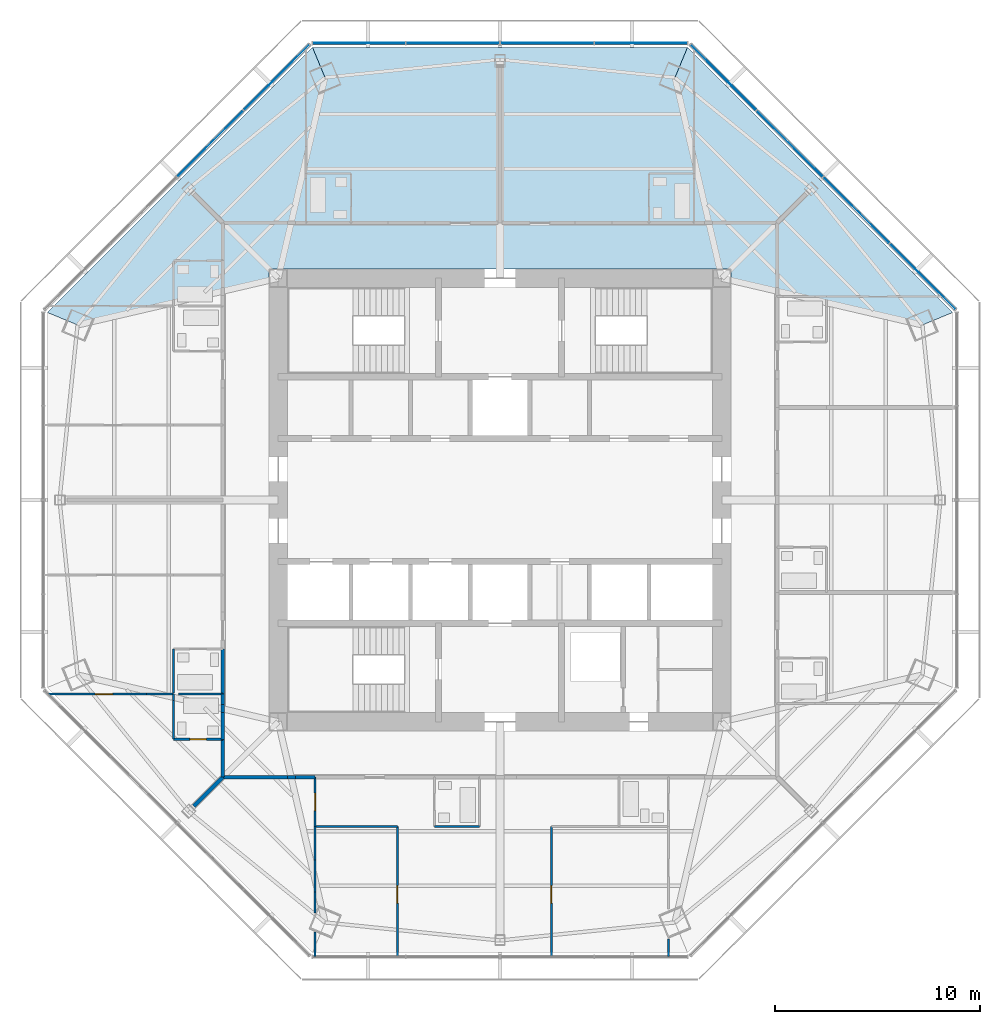
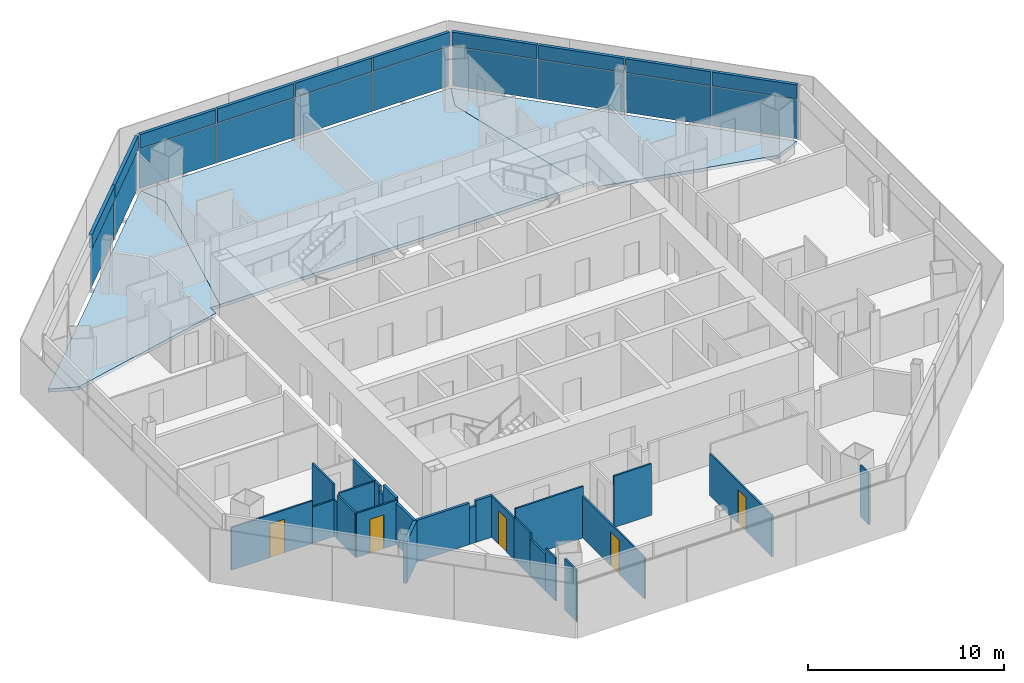
# One storey, part 8 of 15: 26 walls, 20 plates, 5 doors, 3 slabs, 5 openings, 3 elements without a shape of their own.
"""IFC4 building model written with IfcOpenShell, lengths in metres."""

from ifc_helpers import new_model, si_unit, direction, frame, frame_2d, origin, origin_2d, place, context, subcontext, project, spatial, polyline, rectangle, outline, extrude, source, transform, mapped, material, layer, layer_set, type_object, type_shapes, element, fill, aggregate, save


model = new_model("IFC4")

# Units and contexts
model_context = context("Model", 3, precision=1e-05, world=origin(), true_north=direction((0.0, 1.0)))
body_context = subcontext(model_context, "Body", "Model", "MODEL_VIEW")
ifc_project = project(units=[si_unit("LENGTHUNIT", "METRE"), si_unit("AREAUNIT", "SQUARE_METRE"), si_unit("VOLUMEUNIT", "CUBIC_METRE"), si_unit("PLANEANGLEUNIT", "RADIAN"), si_unit("MASSUNIT", "GRAM", prefix="KILO")], contexts=[model_context])

# Site, building, storey
site_placement = place(None, origin())
site = spatial("IfcSite", under=ifc_project, at=site_placement, CompositionType="ELEMENT")
building_placement = place(site_placement, origin())
building = spatial("IfcBuilding", under=site, at=building_placement, Name="Mashrafa Tower", CompositionType="ELEMENT")
storey_placement = place(building_placement, frame((0.0, 0.0, 204.0)))
storey = spatial("IfcBuildingStorey", under=building, at=storey_placement, Name="L46", CompositionType="ELEMENT", Elevation=204.0)

# Slabs
ifc_material_1 = material(Name="Concrete C35/45", Category="concrete")
ifc_layer_1 = layer(ifc_material_1, 0.199951171875)
ifc_layer_set_1 = layer_set([ifc_layer_1], Name="Floor slab 200")
slab_type = type_object("IfcSlabType", Name="Floor slab 200", PredefinedType="FLOOR", material=ifc_layer_set_1)
slab_1_placement = place(storey_placement, frame((0.0, 0.0, -0.199951171875)))
element("IfcSlab", 1, at=slab_1_placement, inside=storey, type_object=slab_type, Name="Floor slab L46 north-east bay", PredefinedType="FLOOR", context=body_context, shape_type="SweptSolid", body=[
    extrude(outline(polyline([(9.130859375, 22.0439453125), (22.0439453125, 9.130859375), (22.0439453125, 9.130859375), (20.5712890625, 8.52099609375), (11.25, 10.695068359375), (11.25, 11.25), (10.695068359375, 11.25), (8.52099609375, 20.5712890625), (9.130859375, 22.0439453125), (9.130859375, 22.0439453125)])), origin(), (0.0, 0.0, 1.0), 0.199951171875),
])
slab_2_placement = place(storey_placement, frame((0.0, 0.0, -0.199951171875)))
element("IfcSlab", 2, at=slab_2_placement, inside=storey, type_object=slab_type, Name="Floor slab L46 north bay", PredefinedType="FLOOR", context=body_context, shape_type="SweptSolid", body=[
    extrude(outline(polyline([(9.130859375, 22.0439453125), (8.52099609375, 20.5712890625), (10.695068359375, 11.25), (-10.695068359375, 11.25), (-8.52099609375, 20.5712890625), (-9.130859375, 22.0439453125), (9.130859375, 22.0439453125)])), origin(), (0.0, 0.0, 1.0), 0.199951171875),
])
slab_3_placement = place(storey_placement, frame((0.0, 0.0, -0.199951171875)))
element("IfcSlab", 3, at=slab_3_placement, inside=storey, type_object=slab_type, Name="Floor slab L46 north-west bay", PredefinedType="FLOOR", context=body_context, shape_type="SweptSolid", body=[
    extrude(outline(polyline([(-22.0439453125, 9.130859375), (-9.130859375, 22.0439453125), (-9.130859375, 22.0439453125), (-8.52099609375, 20.5712890625), (-10.695068359375, 11.25), (-11.25, 11.25), (-11.25, 10.695068359375), (-20.5712890625, 8.52099609375), (-22.0439453125, 9.130859375), (-22.0439453125, 9.130859375)])), origin(), (0.0, 0.0, 1.0), 0.199951171875),
])

# Curtain wall, plates
ifc_material_2 = material(Name="Unitised aluminium curtain wall", Category="aluminium")
curtain_wall_type = type_object("IfcCurtainWallType", Name="Apartment curtain wall, zone 3 CW-C 180 deep", PredefinedType="NOTDEFINED", material=ifc_material_2)
curtain_wall_1_placement = place(storey_placement, origin())
curtain_wall_1 = element("IfcCurtainWall", 4, at=curtain_wall_1_placement, inside=storey, type_object=curtain_wall_type, Name="Apartment curtain wall, zone 3 L46 north-east", PredefinedType="NOTDEFINED")
ifc_material_3 = material(Name="Insulated double glazing, acoustic", Category="glass")
ifc_layer_2 = layer(ifc_material_3, 0.028076171875)
ifc_layer_set_2 = layer_set([ifc_layer_2], Name="Vision panel CW-C 28")
plate_type_1 = type_object("IfcPlateType", Name="Vision panel CW-C 28", PredefinedType="CURTAIN_PANEL", material=ifc_layer_set_2)
shared_shape_1 = source(origin(), body_context, "Body", "SweptSolid", [
    extrude(rectangle(XDim=4.4931640625, YDim=0.028076171875, at=origin_2d()), origin(), (0.0, 0.0, 1.0), 2.46240234375),
])
plate_1_placement = place(storey_placement, frame((20.579345703125, 10.878173828125, 0.0), z_axis=(0.0, 0.0, 1.0), x_axis=(-0.707106781187, 0.707106781187, 0.0)))
plate_1 = element("IfcPlate", 5, at=plate_1_placement, type_object=plate_type_1, Name="CW-C vision panel 1", PredefinedType="CURTAIN_PANEL", context=body_context, shape_type="MappedRepresentation", body=[
    mapped(shared_shape_1, transform((0.0, 0.0, 0.0))),
])
plate_2_placement = place(storey_placement, frame((10.878173828125, 20.579345703125, 0.0), z_axis=(0.0, 0.0, 1.0), x_axis=(-0.707106781187, 0.707106781187, 0.0)))
plate_2 = element("IfcPlate", 6, at=plate_2_placement, type_object=plate_type_1, Name="CW-C vision panel 4", PredefinedType="CURTAIN_PANEL", context=body_context, shape_type="MappedRepresentation", body=[
    mapped(shared_shape_1, transform((0.0, 0.0, 0.0))),
])

curtain_wall_2_placement = place(storey_placement, origin())
curtain_wall_2 = element("IfcCurtainWall", 7, at=curtain_wall_2_placement, inside=storey, type_object=curtain_wall_type, Name="Apartment curtain wall, zone 3 L46 north", PredefinedType="NOTDEFINED")
plate_3_placement = place(storey_placement, frame((6.85986328125, 22.243896484375, 0.0), z_axis=(0.0, 0.0, 1.0), x_axis=(-1.0, 0.0, 0.0)))
plate_3 = element("IfcPlate", 8, at=plate_3_placement, type_object=plate_type_1, Name="CW-C vision panel 1", PredefinedType="CURTAIN_PANEL", context=body_context, shape_type="MappedRepresentation", body=[
    mapped(shared_shape_1, transform((0.0, 0.0, 0.0))),
])
plate_4_placement = place(storey_placement, frame((-6.85986328125, 22.243896484375, 0.0), z_axis=(0.0, 0.0, 1.0), x_axis=(-1.0, 0.0, 0.0)))
plate_4 = element("IfcPlate", 9, at=plate_4_placement, type_object=plate_type_1, Name="CW-C vision panel 4", PredefinedType="CURTAIN_PANEL", context=body_context, shape_type="MappedRepresentation", body=[
    mapped(shared_shape_1, transform((0.0, 0.0, 0.0))),
])

# Curtain wall, plate
curtain_wall_3_placement = place(storey_placement, origin())
curtain_wall_3 = element("IfcCurtainWall", 10, at=curtain_wall_3_placement, inside=storey, type_object=curtain_wall_type, Name="Apartment curtain wall, zone 3 L46 north-west", PredefinedType="NOTDEFINED")
plate_5_placement = place(storey_placement, frame((-10.878173828125, 20.579345703125, 0.0), z_axis=(0.0, 0.0, 1.0), x_axis=(-0.707106781187, -0.707106781187, 0.0)))
plate_5 = element("IfcPlate", 11, at=plate_5_placement, type_object=plate_type_1, Name="CW-C vision panel 1", PredefinedType="CURTAIN_PANEL", context=body_context, shape_type="MappedRepresentation", body=[
    mapped(shared_shape_1, transform((0.0, 0.0, 0.0))),
])

# Plate
ifc_material_4 = material(Name="Insulated bronze aluminium spandrel panel", Category="aluminium")
ifc_layer_3 = layer(ifc_material_4, 0.179931640625)
ifc_layer_set_3 = layer_set([ifc_layer_3], Name="Spandrel panel CW-C 180")
plate_type_2 = type_object("IfcPlateType", Name="Spandrel panel CW-C 180", PredefinedType="CURTAIN_PANEL", material=ifc_layer_set_3)
shared_shape_2 = source(origin(), body_context, "Body", "SweptSolid", [
    extrude(rectangle(XDim=4.4931640625, YDim=0.179931640625, at=origin_2d()), origin(), (0.0, 0.0, 1.0), 0.862548828125),
])
plate_6_placement = place(storey_placement, frame((20.579345703125, 10.878173828125, 2.53759765625), z_axis=(0.0, 0.0, 1.0), x_axis=(-0.707106781187, 0.707106781187, 0.0)))
plate_6 = element("IfcPlate", 12, at=plate_6_placement, type_object=plate_type_2, Name="CW-C spandrel panel 1", PredefinedType="CURTAIN_PANEL", context=body_context, shape_type="MappedRepresentation", body=[
    mapped(shared_shape_2, transform((0.0, 0.0, 0.0))),
])

plate_7_placement = place(storey_placement, frame((10.878173828125, 20.579345703125, 2.53759765625), z_axis=(0.0, 0.0, 1.0), x_axis=(-0.707106781187, 0.707106781187, 0.0)))
plate_7 = element("IfcPlate", 13, at=plate_7_placement, type_object=plate_type_2, Name="CW-C spandrel panel 4", PredefinedType="CURTAIN_PANEL", context=body_context, shape_type="MappedRepresentation", body=[
    mapped(shared_shape_2, transform((0.0, 0.0, 0.0))),
])

plate_8_placement = place(storey_placement, frame((6.85986328125, 22.243896484375, 2.53759765625), z_axis=(0.0, 0.0, 1.0), x_axis=(-1.0, 0.0, 0.0)))
plate_8 = element("IfcPlate", 14, at=plate_8_placement, type_object=plate_type_2, Name="CW-C spandrel panel 1", PredefinedType="CURTAIN_PANEL", context=body_context, shape_type="MappedRepresentation", body=[
    mapped(shared_shape_2, transform((0.0, 0.0, 0.0))),
])

plate_9_placement = place(storey_placement, frame((-6.85986328125, 22.243896484375, 2.53759765625), z_axis=(0.0, 0.0, 1.0), x_axis=(-1.0, 0.0, 0.0)))
plate_9 = element("IfcPlate", 15, at=plate_9_placement, type_object=plate_type_2, Name="CW-C spandrel panel 4", PredefinedType="CURTAIN_PANEL", context=body_context, shape_type="MappedRepresentation", body=[
    mapped(shared_shape_2, transform((0.0, 0.0, 0.0))),
])

plate_10_placement = place(storey_placement, frame((-10.878173828125, 20.579345703125, 2.53759765625), z_axis=(0.0, 0.0, 1.0), x_axis=(-0.707106781187, -0.707106781187, 0.0)))
plate_10 = element("IfcPlate", 16, at=plate_10_placement, type_object=plate_type_2, Name="CW-C spandrel panel 1", PredefinedType="CURTAIN_PANEL", context=body_context, shape_type="MappedRepresentation", body=[
    mapped(shared_shape_2, transform((0.0, 0.0, 0.0))),
])

shared_shape_3 = source(origin(), body_context, "Body", "SweptSolid", [
    extrude(rectangle(XDim=4.523193359375, YDim=0.028076171875, at=origin_2d()), origin(), (0.0, 0.0, 1.0), 2.46240234375),
])
type_shapes(plate_type_1, [shared_shape_1, shared_shape_3])
plate_11_placement = place(storey_placement, frame((17.34912109375, 14.1083984375, 0.0), z_axis=(0.0, 0.0, 1.0), x_axis=(-0.707106781187, 0.707106781187, 0.0)))
plate_11 = element("IfcPlate", 17, at=plate_11_placement, type_object=plate_type_1, Name="CW-C vision panel 2", PredefinedType="CURTAIN_PANEL", context=body_context, shape_type="MappedRepresentation", body=[
    mapped(shared_shape_3, transform((0.0, 0.0, 0.0))),
])

plate_12_placement = place(storey_placement, frame((14.1083984375, 17.34912109375, 0.0), z_axis=(0.0, 0.0, 1.0), x_axis=(-0.707106781187, 0.707106781187, 0.0)))
plate_12 = element("IfcPlate", 18, at=plate_12_placement, type_object=plate_type_1, Name="CW-C vision panel 3", PredefinedType="CURTAIN_PANEL", context=body_context, shape_type="MappedRepresentation", body=[
    mapped(shared_shape_3, transform((0.0, 0.0, 0.0))),
])

plate_13_placement = place(storey_placement, frame((2.29150390625, 22.243896484375, 0.0), z_axis=(0.0, 0.0, 1.0), x_axis=(-1.0, 0.0, 0.0)))
plate_13 = element("IfcPlate", 19, at=plate_13_placement, type_object=plate_type_1, Name="CW-C vision panel 2", PredefinedType="CURTAIN_PANEL", context=body_context, shape_type="MappedRepresentation", body=[
    mapped(shared_shape_3, transform((0.0, 0.0, 0.0))),
])

plate_14_placement = place(storey_placement, frame((-2.29150390625, 22.243896484375, 0.0), z_axis=(0.0, 0.0, 1.0), x_axis=(-1.0, 0.0, 0.0)))
plate_14 = element("IfcPlate", 20, at=plate_14_placement, type_object=plate_type_1, Name="CW-C vision panel 3", PredefinedType="CURTAIN_PANEL", context=body_context, shape_type="MappedRepresentation", body=[
    mapped(shared_shape_3, transform((0.0, 0.0, 0.0))),
])

plate_15_placement = place(storey_placement, frame((-14.1083984375, 17.34912109375, 0.0), z_axis=(0.0, 0.0, 1.0), x_axis=(-0.707106781187, -0.707106781187, 0.0)))
plate_15 = element("IfcPlate", 21, at=plate_15_placement, type_object=plate_type_1, Name="CW-C vision panel 2", PredefinedType="CURTAIN_PANEL", context=body_context, shape_type="MappedRepresentation", body=[
    mapped(shared_shape_3, transform((0.0, 0.0, 0.0))),
])

shared_shape_4 = source(origin(), body_context, "Body", "SweptSolid", [
    extrude(rectangle(XDim=4.523193359375, YDim=0.179931640625, at=origin_2d()), origin(), (0.0, 0.0, 1.0), 0.862548828125),
])
type_shapes(plate_type_2, [shared_shape_2, shared_shape_4])
plate_16_placement = place(storey_placement, frame((17.34912109375, 14.1083984375, 2.53759765625), z_axis=(0.0, 0.0, 1.0), x_axis=(-0.707106781187, 0.707106781187, 0.0)))
plate_16 = element("IfcPlate", 22, at=plate_16_placement, type_object=plate_type_2, Name="CW-C spandrel panel 2", PredefinedType="CURTAIN_PANEL", context=body_context, shape_type="MappedRepresentation", body=[
    mapped(shared_shape_4, transform((0.0, 0.0, 0.0))),
])

plate_17_placement = place(storey_placement, frame((14.1083984375, 17.34912109375, 2.53759765625), z_axis=(0.0, 0.0, 1.0), x_axis=(-0.707106781187, 0.707106781187, 0.0)))
plate_17 = element("IfcPlate", 23, at=plate_17_placement, type_object=plate_type_2, Name="CW-C spandrel panel 3", PredefinedType="CURTAIN_PANEL", context=body_context, shape_type="MappedRepresentation", body=[
    mapped(shared_shape_4, transform((0.0, 0.0, 0.0))),
])

aggregate(curtain_wall_1, [plate_1, plate_6, plate_11, plate_16, plate_12, plate_17, plate_2, plate_7])

plate_18_placement = place(storey_placement, frame((2.29150390625, 22.243896484375, 2.53759765625), z_axis=(0.0, 0.0, 1.0), x_axis=(-1.0, 0.0, 0.0)))
plate_18 = element("IfcPlate", 24, at=plate_18_placement, type_object=plate_type_2, Name="CW-C spandrel panel 2", PredefinedType="CURTAIN_PANEL", context=body_context, shape_type="MappedRepresentation", body=[
    mapped(shared_shape_4, transform((0.0, 0.0, 0.0))),
])

plate_19_placement = place(storey_placement, frame((-2.29150390625, 22.243896484375, 2.53759765625), z_axis=(0.0, 0.0, 1.0), x_axis=(-1.0, 0.0, 0.0)))
plate_19 = element("IfcPlate", 25, at=plate_19_placement, type_object=plate_type_2, Name="CW-C spandrel panel 3", PredefinedType="CURTAIN_PANEL", context=body_context, shape_type="MappedRepresentation", body=[
    mapped(shared_shape_4, transform((0.0, 0.0, 0.0))),
])

aggregate(curtain_wall_2, [plate_3, plate_8, plate_13, plate_18, plate_14, plate_19, plate_4, plate_9])

plate_20_placement = place(storey_placement, frame((-14.1083984375, 17.34912109375, 2.53759765625), z_axis=(0.0, 0.0, 1.0), x_axis=(-0.707106781187, -0.707106781187, 0.0)))
plate_20 = element("IfcPlate", 26, at=plate_20_placement, type_object=plate_type_2, Name="CW-C spandrel panel 2", PredefinedType="CURTAIN_PANEL", context=body_context, shape_type="MappedRepresentation", body=[
    mapped(shared_shape_4, transform((0.0, 0.0, 0.0))),
])

aggregate(curtain_wall_3, [plate_5, plate_10, plate_15, plate_20])

# Walls
ifc_material_5 = material(Name="Gypsum board on steel studs", Category="steel")
ifc_layer_4 = layer(ifc_material_5, 0.199951171875)
ifc_layer_set_4 = layer_set([ifc_layer_4], Name="Acoustic partition 200 1 hr")
wall_type_1 = type_object("IfcWallType", Name="Acoustic partition 200 1 hr", PredefinedType="PARTITIONING", material=ifc_layer_set_4)
wall_1_placement = place(storey_placement, frame((-14.90478515625, -14.90478515625, 0.0), z_axis=(0.0, 0.0, 1.0), x_axis=(0.707106781187, 0.707106781187, 0.0)))
element("IfcWall", 27, at=wall_1_placement, inside=storey, type_object=wall_type_1, Name="Acoustic wall L46-113", PredefinedType="PARTITIONING", context=body_context, shape_type="SweptSolid", body=[
    extrude(rectangle(XDim=1.986572265625, YDim=0.199951171875, at=frame_2d((0.9931640625, 0.0))), origin(), (0.0, 0.0, 1.0), 2.577880859375),
])
ifc_material_6 = material(Name="Gypsum board on steel studs", Category="steel")
ifc_layer_5 = layer(ifc_material_6, 0.14990234375)
ifc_layer_set_5 = layer_set([ifc_layer_5], Name="Corridor partition 150 1 hr")
wall_type_2 = type_object("IfcWallType", Name="Corridor partition 150 1 hr", PredefinedType="PARTITIONING", material=ifc_layer_set_5)
wall_2_placement = place(storey_placement, frame((-13.5, -9.448974609375, 0.0), z_axis=(0.0, 0.0, 1.0), x_axis=(0.0, -1.0, 0.0)))
element("IfcWall", 28, at=wall_2_placement, inside=storey, type_object=wall_type_2, Name="Corridor wall L46-039", PredefinedType="PARTITIONING", context=body_context, shape_type="SweptSolid", body=[
    extrude(rectangle(XDim=0.516357421875, YDim=0.14990234375, at=frame_2d((0.25830078125, 0.0))), origin(), (0.0, 0.0, 1.0), 2.590576171875),
])
wall_3_placement = place(storey_placement, frame((-13.5, -10.34033203125, 0.0), z_axis=(0.0, 0.0, 1.0), x_axis=(0.0, -1.0, 0.0)))
element("IfcWall", 29, at=wall_3_placement, inside=storey, type_object=wall_type_2, Name="Corridor wall L46-040", PredefinedType="PARTITIONING", context=body_context, shape_type="SweptSolid", body=[
    extrude(rectangle(XDim=1.310546875, YDim=0.14990234375, at=frame_2d((0.6552734375, 0.0))), origin(), (0.0, 0.0, 1.0), 2.880126953125),
])
wall_4_placement = place(storey_placement, frame((-13.5, -9.96533203125, 0.0), z_axis=(0.0, 0.0, 1.0), x_axis=(0.0, -1.0, 0.0)))
element("IfcWall", 30, at=wall_4_placement, inside=storey, type_object=wall_type_2, Name="Corridor wall L46-041", PredefinedType="PARTITIONING", context=body_context, shape_type="SweptSolid", body=[
    extrude(rectangle(XDim=0.375, YDim=0.14990234375, at=frame_2d((0.1875, 0.0))), origin(), (0.0, 0.0, 1.0), 2.26806640625),
])
wall_5_placement = place(storey_placement, frame((-13.5, -11.64892578125, 0.0), z_axis=(0.0, 0.0, 1.0), x_axis=(0.0, -1.0, 0.0)))
element("IfcWall", 31, at=wall_5_placement, inside=storey, type_object=wall_type_2, Name="Corridor wall L46-042", PredefinedType="PARTITIONING", context=body_context, shape_type="SweptSolid", body=[
    extrude(rectangle(XDim=1.85107421875, YDim=0.14990234375, at=frame_2d((0.925537109375, 0.0))), origin(), (0.0, 0.0, 1.0), 2.577880859375),
])
wall_6_placement = place(storey_placement, frame((-13.5, -7.2490234375, 0.0), z_axis=(0.0, 0.0, 1.0), x_axis=(0.0, -1.0, 0.0)))
element("IfcWall", 32, at=wall_6_placement, inside=storey, type_object=wall_type_2, Name="Corridor wall L46-043", PredefinedType="PARTITIONING", context=body_context, shape_type="SweptSolid", body=[
    extrude(rectangle(XDim=2.201904296875, YDim=0.14990234375, at=frame_2d((1.10107421875, 0.0))), origin(), (0.0, 0.0, 1.0), 2.590576171875),
])
wall_7_placement = place(storey_placement, frame((-13.5, -13.5, 0.0), z_axis=(0.0, 0.0, 1.0), x_axis=(1.0, 0.0, 0.0)))
element("IfcWall", 33, at=wall_7_placement, inside=storey, type_object=wall_type_2, Name="Corridor wall L46-047", PredefinedType="PARTITIONING", context=body_context, shape_type="SweptSolid", body=[
    extrude(rectangle(XDim=3.15966796875, YDim=0.14990234375, at=frame_2d((1.579833984375, 0.0))), origin(), (0.0, 0.0, 1.0), 2.577880859375),
])
wall_8_placement = place(storey_placement, frame((-9.96533203125, -13.5, 0.0), z_axis=(0.0, 0.0, 1.0), x_axis=(1.0, 0.0, 0.0)))
element("IfcWall", 34, at=wall_8_placement, inside=storey, type_object=wall_type_2, Name="Corridor wall L46-048", PredefinedType="PARTITIONING", context=body_context, shape_type="SweptSolid", body=[
    extrude(rectangle(XDim=0.96630859375, YDim=0.14990234375, at=frame_2d((0.483154296875, 0.0))), origin(), (0.0, 0.0, 1.0), 2.590576171875),
])
wall_9_placement = place(storey_placement, frame((-10.34033203125, -13.5, 0.0), z_axis=(0.0, 0.0, 1.0), x_axis=(1.0, 0.0, 0.0)))
element("IfcWall", 35, at=wall_9_placement, inside=storey, type_object=wall_type_2, Name="Corridor wall L46-049", PredefinedType="PARTITIONING", context=body_context, shape_type="SweptSolid", body=[
    extrude(rectangle(XDim=0.375, YDim=0.14990234375, at=frame_2d((0.1875, 0.0))), origin(), (0.0, 0.0, 1.0), 2.26806640625),
])
ifc_material_7 = material(Name="Gypsum board on steel studs", Category="steel")
ifc_layer_6 = layer(ifc_material_7, 0.10009765625)
ifc_layer_set_6 = layer_set([ifc_layer_6], Name="Partition 100")
wall_type_3 = type_object("IfcWallType", Name="Partition 100", PredefinedType="PARTITIONING", material=ifc_layer_set_6)
wall_10_placement = place(storey_placement, frame((-15.89990234375, -9.76513671875, 0.0), z_axis=(0.0, 0.0, 1.0), x_axis=(0.0, -1.0, 0.0)))
element("IfcWall", 36, at=wall_10_placement, inside=storey, type_object=wall_type_3, Name="Partition wall L46-107", PredefinedType="PARTITIONING", context=body_context, shape_type="SweptSolid", body=[
    extrude(rectangle(XDim=1.884765625, YDim=0.10009765625, at=frame_2d((0.9423828125, 0.0))), origin(), (0.0, 0.0, 1.0), 2.740478515625),
])
wall_11_placement = place(storey_placement, frame((-15.89990234375, -9.449951171875, 0.0), z_axis=(0.0, 0.0, 1.0), x_axis=(0.0, -1.0, 0.0)))
element("IfcWall", 37, at=wall_11_placement, inside=storey, type_object=wall_type_3, Name="Partition wall L46-108", PredefinedType="PARTITIONING", context=body_context, shape_type="SweptSolid", body=[
    extrude(rectangle(XDim=0.315185546875, YDim=0.10009765625, at=frame_2d((0.15771484375, 0.0))), origin(), (0.0, 0.0, 1.0), 2.26806640625),
])

# Wall, opening, door
wall_12_placement = place(storey_placement, frame((-15.89990234375, -11.64990234375, 0.0), z_axis=(0.0, 0.0, 1.0), x_axis=(1.0, 0.0, 0.0)))
wall_12 = element("IfcWall", 38, at=wall_12_placement, inside=storey, type_object=wall_type_3, Name="Partition wall L46-109", PredefinedType="PARTITIONING", context=body_context, shape_type="SweptSolid", body=[
    extrude(rectangle(XDim=2.39990234375, YDim=0.10009765625, at=frame_2d((1.199951171875, 0.0))), origin(), (0.0, 0.0, 1.0), 2.740478515625),
])
opening_1_placement = place(wall_12_placement, frame((0.800048828125, 0.0, 0.0)))
opening_1 = element("IfcOpeningElement", 39, at=opening_1_placement, cuts=wall_12, Name="Opening 46.020", PredefinedType="OPENING", context=body_context, shape_type="SweptSolid", body=[
    extrude(rectangle(XDim=0.800048828125, YDim=2.10009765625, at=frame_2d((0.39990234375, 1.050048828125))), frame((0.0, 0.06005859375, 0.0), z_axis=(0.0, -1.0, 0.0), x_axis=(1.0, 0.0, 0.0)), (0.0, 0.0, 1.0), 0.1201171875),
])
ifc_material_8 = material(Name="Timber door", Category="wood")
door_type_1 = type_object("IfcDoorType", Name="Bathroom door 800 x 2100", OperationType="USERDEFINED", PredefinedType="DOOR", material=ifc_material_8)
door_1_placement = place(opening_1_placement, origin())
door_1 = element("IfcDoor", 40, at=door_1_placement, inside=storey, type_object=door_type_1, Name="Apartment 4607 En-suite Bathroom door", OperationType="SINGLE_SWING_LEFT", OverallHeight=2.10009765625, OverallWidth=0.800048828125, PredefinedType="DOOR", context=body_context, shape_type="SweptSolid", body=[
    extrude(rectangle(XDim=0.800048828125, YDim=2.10009765625, at=frame_2d((0.39990234375, 1.050048828125))), frame((0.0, 0.02490234375, 0.0), z_axis=(0.0, -1.0, 0.0), x_axis=(1.0, 0.0, 0.0)), (0.0, 0.0, 1.0), 0.050048828125),
])
fill(opening_1, door_1)

# Wall
wall_13_placement = place(storey_placement, frame((-13.5, -9.449951171875, 0.0), z_axis=(0.0, 0.0, 1.0), x_axis=(-1.0, 0.0, 0.0)))
element("IfcWall", 41, at=wall_13_placement, inside=storey, type_object=wall_type_3, Name="Partition wall L46-110", PredefinedType="PARTITIONING", context=body_context, shape_type="SweptSolid", body=[
    extrude(rectangle(XDim=2.14990234375, YDim=0.10009765625, at=frame_2d((1.074951171875, 0.0))), origin(), (0.0, 0.0, 1.0), 2.590576171875),
])

# Wall, opening, door
wall_14_placement = place(storey_placement, frame((-17.215087890625, -9.449951171875, 0.0), z_axis=(0.0, 0.0, 1.0), x_axis=(-1.0, 0.0, 0.0)))
wall_14 = element("IfcWall", 42, at=wall_14_placement, inside=storey, type_object=wall_type_3, Name="Partition wall L46-111", PredefinedType="PARTITIONING", context=body_context, shape_type="SweptSolid", body=[
    extrude(rectangle(XDim=4.770751953125, YDim=0.10009765625, at=frame_2d((2.38525390625, 0.0))), origin(), (0.0, 0.0, 1.0), 2.664306640625),
])
opening_2_placement = place(wall_14_placement, frame((1.653076171875, 0.0, 0.0)))
opening_2 = element("IfcOpeningElement", 43, at=opening_2_placement, cuts=wall_14, Name="Opening 46.021", PredefinedType="OPENING", context=body_context, shape_type="SweptSolid", body=[
    extrude(rectangle(XDim=0.85009765625, YDim=2.10009765625, at=frame_2d((0.425048828125, 1.050048828125))), frame((0.0, 0.06005859375, 0.0), z_axis=(0.0, -1.0, 0.0), x_axis=(1.0, 0.0, 0.0)), (0.0, 0.0, 1.0), 0.1201171875),
])
ifc_material_9 = material(Name="Timber door", Category="wood")
door_type_2 = type_object("IfcDoorType", Name="Bedroom door 850 x 2100", OperationType="USERDEFINED", PredefinedType="DOOR", material=ifc_material_9)
door_2_placement = place(opening_2_placement, origin())
door_2 = element("IfcDoor", 44, at=door_2_placement, inside=storey, type_object=door_type_2, Name="Apartment 4607 Bedroom 1 door", OperationType="SINGLE_SWING_RIGHT", OverallHeight=2.10009765625, OverallWidth=0.85009765625, PredefinedType="DOOR", context=body_context, shape_type="SweptSolid", body=[
    extrude(rectangle(XDim=0.85009765625, YDim=2.10009765625, at=frame_2d((0.425048828125, 1.050048828125))), frame((0.0, 0.02490234375, 0.0), z_axis=(0.0, -1.0, 0.0), x_axis=(1.0, 0.0, 0.0)), (0.0, 0.0, 1.0), 0.050048828125),
])
fill(opening_2, door_2)

# Walls
wall_15_placement = place(storey_placement, frame((-15.89990234375, -9.449951171875, 0.0), z_axis=(0.0, 0.0, 1.0), x_axis=(-1.0, 0.0, 0.0)))
element("IfcWall", 45, at=wall_15_placement, inside=storey, type_object=wall_type_3, Name="Partition wall L46-112", PredefinedType="PARTITIONING", context=body_context, shape_type="SweptSolid", body=[
    extrude(rectangle(XDim=1.315185546875, YDim=0.10009765625, at=frame_2d((0.65771484375, 0.0))), origin(), (0.0, 0.0, 1.0), 2.26806640625),
])
wall_16_placement = place(storey_placement, frame((-15.89990234375, -7.25, 0.0), z_axis=(0.0, 0.0, 1.0), x_axis=(0.0, -1.0, 0.0)))
element("IfcWall", 46, at=wall_16_placement, inside=storey, type_object=wall_type_3, Name="Partition wall L46-115", PredefinedType="PARTITIONING", context=body_context, shape_type="SweptSolid", body=[
    extrude(rectangle(XDim=2.14013671875, YDim=0.10009765625, at=frame_2d((1.070068359375, 0.0))), origin(), (0.0, 0.0, 1.0), 3.199951171875),
])
wall_17_placement = place(storey_placement, frame((-9.0, -22.225830078125, 0.0), z_axis=(0.0, 0.0, 1.0), x_axis=(0.0, 1.0, 0.0)))
element("IfcWall", 47, at=wall_17_placement, inside=storey, type_object=wall_type_3, Name="Partition wall L46-118", PredefinedType="PARTITIONING", context=body_context, shape_type="SweptSolid", body=[
    extrude(rectangle(XDim=1.189208984375, YDim=0.10009765625, at=frame_2d((0.5947265625, 0.0))), origin(), (0.0, 0.0, 1.0), 3.199951171875),
])
wall_18_placement = place(storey_placement, frame((-9.0, -20.1103515625, 0.0), z_axis=(0.0, 0.0, 1.0), x_axis=(0.0, 1.0, 0.0)))
element("IfcWall", 48, at=wall_18_placement, inside=storey, type_object=wall_type_3, Name="Partition wall L46-119", PredefinedType="PARTITIONING", context=body_context, shape_type="SweptSolid", body=[
    extrude(rectangle(XDim=1.017578125, YDim=0.10009765625, at=frame_2d((0.5087890625, 0.0))), origin(), (0.0, 0.0, 1.0), 2.664306640625),
])
wall_19_placement = place(storey_placement, frame((-9.0, -17.527587890625, 0.0), z_axis=(0.0, 0.0, 1.0), x_axis=(0.0, 1.0, 0.0)))
element("IfcWall", 49, at=wall_19_placement, inside=storey, type_object=wall_type_3, Name="Partition wall L46-120", PredefinedType="PARTITIONING", context=body_context, shape_type="SweptSolid", body=[
    extrude(rectangle(XDim=1.628662109375, YDim=0.10009765625, at=frame_2d((0.814453125, 0.0))), origin(), (0.0, 0.0, 1.0), 2.664306640625),
])
wall_20_placement = place(storey_placement, frame((-9.0, -19.0927734375, 0.0), z_axis=(0.0, 0.0, 1.0), x_axis=(0.0, 1.0, 0.0)))
element("IfcWall", 50, at=wall_20_placement, inside=storey, type_object=wall_type_3, Name="Partition wall L46-121", PredefinedType="PARTITIONING", context=body_context, shape_type="SweptSolid", body=[
    extrude(rectangle(XDim=1.565185546875, YDim=0.10009765625, at=frame_2d((0.78271484375, 0.0))), origin(), (0.0, 0.0, 1.0), 2.26806640625),
])

# Wall, opening, door
wall_21_placement = place(storey_placement, frame((-9.0, -15.90087890625, 0.0), z_axis=(0.0, 0.0, 1.0), x_axis=(0.0, 1.0, 0.0)))
wall_21 = element("IfcWall", 51, at=wall_21_placement, inside=storey, type_object=wall_type_3, Name="Partition wall L46-122", PredefinedType="PARTITIONING", context=body_context, shape_type="SweptSolid", body=[
    extrude(rectangle(XDim=2.40087890625, YDim=0.10009765625, at=frame_2d((1.200439453125, 0.0))), origin(), (0.0, 0.0, 1.0), 2.590576171875),
])
opening_3_placement = place(wall_21_placement, frame((0.775390625, 0.0, 0.0)))
opening_3 = element("IfcOpeningElement", 52, at=opening_3_placement, cuts=wall_21, Name="Opening 46.025", PredefinedType="OPENING", context=body_context, shape_type="SweptSolid", body=[
    extrude(rectangle(XDim=0.85009765625, YDim=2.10009765625, at=frame_2d((0.425048828125, 1.050048828125))), frame((0.0, 0.06005859375, 0.0), z_axis=(0.0, -1.0, 0.0), x_axis=(1.0, 0.0, 0.0)), (0.0, 0.0, 1.0), 0.1201171875),
])
door_3_placement = place(opening_3_placement, origin())
door_3 = element("IfcDoor", 53, at=door_3_placement, inside=storey, type_object=door_type_2, Name="Apartment 4608 Bedroom 1 door", OperationType="SINGLE_SWING_RIGHT", OverallHeight=2.10009765625, OverallWidth=0.85009765625, PredefinedType="DOOR", context=body_context, shape_type="SweptSolid", body=[
    extrude(rectangle(XDim=0.85009765625, YDim=2.10009765625, at=frame_2d((0.425048828125, 1.050048828125))), frame((0.0, 0.02490234375, 0.0), z_axis=(0.0, -1.0, 0.0), x_axis=(1.0, 0.0, 0.0)), (0.0, 0.0, 1.0), 0.050048828125),
])
fill(opening_3, door_3)

wall_22_placement = place(storey_placement, frame((-5.0, -22.227783203125, 0.0), z_axis=(0.0, 0.0, 1.0), x_axis=(0.0, 1.0, 0.0)))
wall_22 = element("IfcWall", 54, at=wall_22_placement, inside=storey, type_object=wall_type_3, Name="Partition wall L46-123", PredefinedType="PARTITIONING", context=body_context, shape_type="SweptSolid", body=[
    extrude(rectangle(XDim=6.327880859375, YDim=0.10009765625, at=frame_2d((3.1640625, 0.0))), origin(), (0.0, 0.0, 1.0), 2.590576171875),
])
opening_4_placement = place(wall_22_placement, frame((2.600830078125, 0.0, 0.0)))
opening_4 = element("IfcOpeningElement", 55, at=opening_4_placement, cuts=wall_22, Name="Opening 46.026", PredefinedType="OPENING", context=body_context, shape_type="SweptSolid", body=[
    extrude(rectangle(XDim=0.85009765625, YDim=2.10009765625, at=frame_2d((0.425048828125, 1.050048828125))), frame((0.0, 0.06005859375, 0.0), z_axis=(0.0, -1.0, 0.0), x_axis=(1.0, 0.0, 0.0)), (0.0, 0.0, 1.0), 0.1201171875),
])
door_4_placement = place(opening_4_placement, origin())
door_4 = element("IfcDoor", 56, at=door_4_placement, inside=storey, type_object=door_type_2, Name="Apartment 4608 Bedroom 2 door", OperationType="SINGLE_SWING_LEFT", OverallHeight=2.10009765625, OverallWidth=0.85009765625, PredefinedType="DOOR", context=body_context, shape_type="SweptSolid", body=[
    extrude(rectangle(XDim=0.85009765625, YDim=2.10009765625, at=frame_2d((0.425048828125, 1.050048828125))), frame((0.0, 0.02490234375, 0.0), z_axis=(0.0, -1.0, 0.0), x_axis=(1.0, 0.0, 0.0)), (0.0, 0.0, 1.0), 0.050048828125),
])
fill(opening_4, door_4)

# Walls
wall_23_placement = place(storey_placement, frame((-5.0, -15.89990234375, 0.0), z_axis=(0.0, 0.0, 1.0), x_axis=(-1.0, 0.0, 0.0)))
element("IfcWall", 57, at=wall_23_placement, inside=storey, type_object=wall_type_3, Name="Partition wall L46-124", PredefinedType="PARTITIONING", context=body_context, shape_type="SweptSolid", body=[
    extrude(rectangle(XDim=4.0, YDim=0.10009765625, at=frame_2d((2.0, 0.0))), origin(), (0.0, 0.0, 1.0), 3.199951171875),
])
wall_24_placement = place(storey_placement, frame((-3.199951171875, -15.89990234375, 0.0), z_axis=(0.0, 0.0, 1.0), x_axis=(1.0, 0.0, 0.0)))
element("IfcWall", 58, at=wall_24_placement, inside=storey, type_object=wall_type_3, Name="Partition wall L46-127", PredefinedType="PARTITIONING", context=body_context, shape_type="SweptSolid", body=[
    extrude(rectangle(XDim=2.199951171875, YDim=0.10009765625, at=frame_2d((1.10009765625, 0.0))), origin(), (0.0, 0.0, 1.0), 3.199951171875),
])
wall_25_placement = place(storey_placement, frame((8.199951171875, -21.367919921875, 0.0), z_axis=(0.0, 0.0, 1.0), x_axis=(0.0, -1.0, 0.0)))
element("IfcWall", 59, at=wall_25_placement, inside=storey, type_object=wall_type_3, Name="Partition wall L46-132", PredefinedType="PARTITIONING", context=body_context, shape_type="SweptSolid", body=[
    extrude(rectangle(XDim=0.85791015625, YDim=0.10009765625, at=frame_2d((0.428955078125, 0.0))), origin(), (0.0, 0.0, 1.0), 3.199951171875),
])

# Wall, opening, door
wall_26_placement = place(storey_placement, frame((2.5, -22.227783203125, 0.0), z_axis=(0.0, 0.0, 1.0), x_axis=(0.0, 1.0, 0.0)))
wall_26 = element("IfcWall", 60, at=wall_26_placement, inside=storey, type_object=wall_type_3, Name="Partition wall L46-133", PredefinedType="PARTITIONING", context=body_context, shape_type="SweptSolid", body=[
    extrude(rectangle(XDim=6.327880859375, YDim=0.10009765625, at=frame_2d((3.1640625, 0.0))), origin(), (0.0, 0.0, 1.0), 2.590576171875),
])
opening_5_placement = place(wall_26_placement, frame((2.600830078125, 0.0, 0.0)))
opening_5 = element("IfcOpeningElement", 61, at=opening_5_placement, cuts=wall_26, Name="Opening 46.031", PredefinedType="OPENING", context=body_context, shape_type="SweptSolid", body=[
    extrude(rectangle(XDim=0.85009765625, YDim=2.10009765625, at=frame_2d((0.425048828125, 1.050048828125))), frame((0.0, 0.06005859375, 0.0), z_axis=(0.0, -1.0, 0.0), x_axis=(1.0, 0.0, 0.0)), (0.0, 0.0, 1.0), 0.1201171875),
])
door_5_placement = place(opening_5_placement, frame((0.85009765625, 0.0, 0.0), z_axis=(0.0, 0.0, 1.0), x_axis=(-1.0, 0.0, 0.0)))
door_5 = element("IfcDoor", 62, at=door_5_placement, inside=storey, type_object=door_type_2, Name="Apartment 4608 Dining Room door", OperationType="SINGLE_SWING_RIGHT", OverallHeight=2.10009765625, OverallWidth=0.85009765625, PredefinedType="DOOR", context=body_context, shape_type="SweptSolid", body=[
    extrude(rectangle(XDim=0.85009765625, YDim=2.10009765625, at=frame_2d((0.425048828125, 1.050048828125))), frame((0.0, 0.02490234375, 0.0), z_axis=(0.0, -1.0, 0.0), x_axis=(1.0, 0.0, 0.0)), (0.0, 0.0, 1.0), 0.050048828125),
])
fill(opening_5, door_5)

save(model, "model.ifc")
